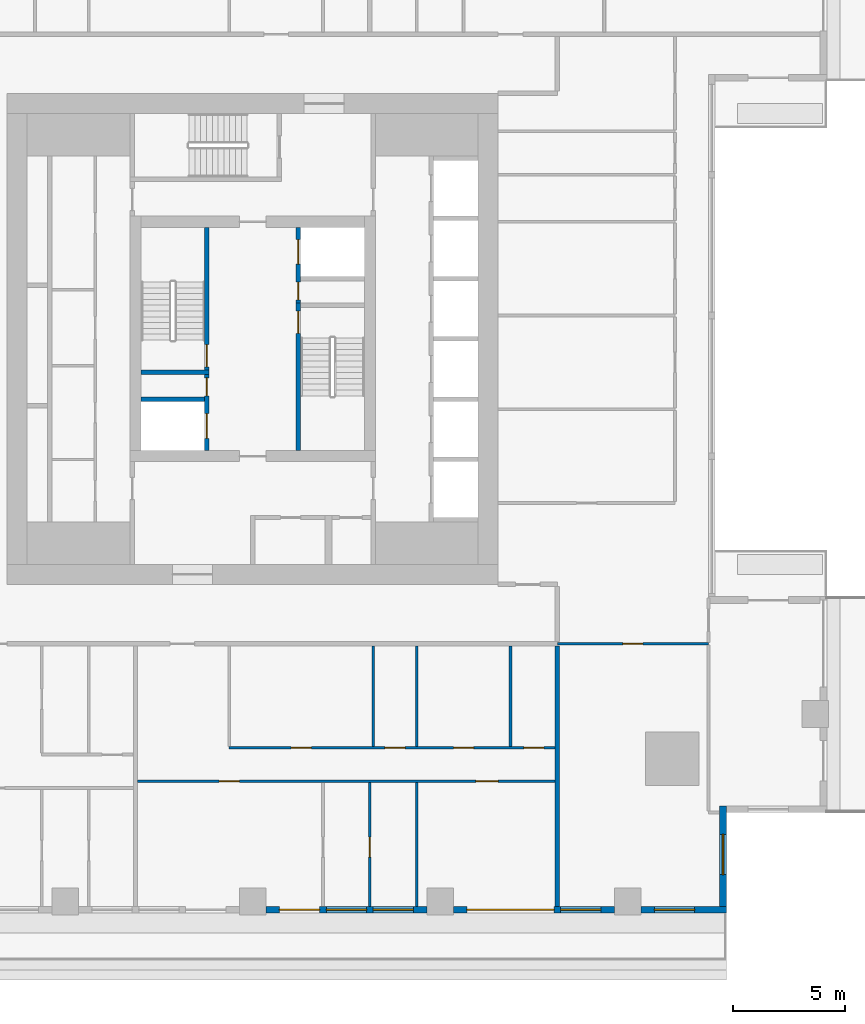
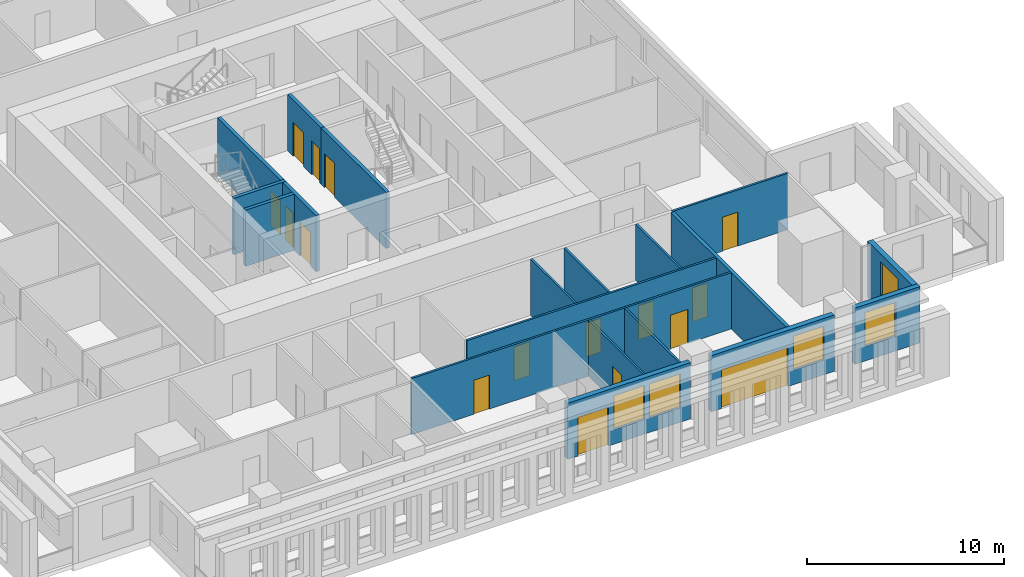
# One storey, part 4 of 15: 19 walls, 16 doors, 5 windows, 21 openings.
"""IFC4 building model written with IfcOpenShell, lengths in metres."""

from ifc_helpers import new_model, si_unit, direction, frame, frame_2d, origin, place, context, subcontext, project, spatial, rectangle, extrude, material, layer, layer_set, type_object, element, fill, save


model = new_model("IFC4")

# Units and contexts
model_context = context("Model", 3, precision=1e-05, world=origin(), true_north=direction((0.0, 1.0)))
body_context = subcontext(model_context, "Body", "Model", "MODEL_VIEW")
ifc_project = project(units=[si_unit("LENGTHUNIT", "METRE"), si_unit("AREAUNIT", "SQUARE_METRE"), si_unit("VOLUMEUNIT", "CUBIC_METRE"), si_unit("PLANEANGLEUNIT", "RADIAN"), si_unit("MASSUNIT", "GRAM", prefix="KILO")], contexts=[model_context])

# Site, building, storey
site_placement = place(None, origin())
site = spatial("IfcSite", under=ifc_project, at=site_placement, CompositionType="ELEMENT")
building_placement = place(site_placement, origin())
building = spatial("IfcBuilding", under=site, at=building_placement, Name="Khepri Terraces", CompositionType="ELEMENT")
storey_placement = place(building_placement, frame((0.0, 0.0, 219.60009765625)))
storey = spatial("IfcBuildingStorey", under=building, at=storey_placement, Name="L52", CompositionType="ELEMENT", Elevation=219.60009765625)

# Wall, opening, door
ifc_material_1 = material(Name="Concrete C50/60", Category="concrete")
ifc_layer_1 = layer(ifc_material_1, 0.199951171875, Name="Concrete C50/60", Category="concrete")
ifc_layer_set_1 = layer_set([ifc_layer_1], Name="Concrete C50/60")
wall_type_1 = type_object("IfcWallType", Name="Core wall 200 C50/60", PredefinedType="SHEAR", material=ifc_layer_set_1)
wall_1_placement = place(storey_placement, frame((2.050048828125, -5.0, 0.0), z_axis=(0.0, 0.0, 1.0), x_axis=(0.0, 1.0, 0.0)))
wall_1 = element("IfcWall", 1, at=wall_1_placement, inside=storey, type_object=wall_type_1, Name="Core wall ST01 L52", PredefinedType="SHEAR", context=body_context, shape_type="SweptSolid", body=[
    extrude(rectangle(XDim=6.60009765625, YDim=0.199951171875, at=frame_2d((3.300048828125, 0.0))), origin(), (0.0, 0.0, 1.0), 3.47998046875),
])
opening_1_placement = place(wall_1_placement, frame((5.25, 0.0, 0.0)))
opening_1 = element("IfcOpeningElement", 2, at=opening_1_placement, cuts=wall_1, Name="Opening L52-C10", PredefinedType="OPENING", context=body_context, shape_type="SweptSolid", body=[
    extrude(rectangle(XDim=1.0, YDim=2.10009765625, at=frame_2d((0.5, 1.050048828125))), frame((0.0, 0.10986328125, 0.0), z_axis=(0.0, -1.0, 0.0), x_axis=(1.0, 0.0, 0.0)), (0.0, 0.0, 1.0), 0.219970703125),
])
ifc_material_2 = material(Name="Painted steel", Category="steel")
door_type_1 = type_object("IfcDoorType", Name="DR-CORE-STAIR-1000", OperationType="NOTDEFINED", PredefinedType="DOOR", material=ifc_material_2)
door_1_placement = place(opening_1_placement, frame((1.0, 0.0, 0.0), z_axis=(0.0, 0.0, 1.0), x_axis=(-1.0, 0.0, 0.0)))
door_1 = element("IfcDoor", 3, at=door_1_placement, inside=storey, type_object=door_type_1, Name="Stair door L52-C10", OperationType="SINGLE_SWING_LEFT", OverallHeight=2.10009765625, OverallWidth=1.0, PredefinedType="DOOR", context=body_context, shape_type="SweptSolid", body=[
    extrude(rectangle(XDim=1.0, YDim=2.10009765625, at=frame_2d((0.5, 1.050048828125))), frame((0.0, 0.02490234375, 0.0), z_axis=(0.0, -1.0, 0.0), x_axis=(1.0, 0.0, 0.0)), (0.0, 0.0, 1.0), 0.050048828125),
])
fill(opening_1, door_1)

# Wall
wall_2_placement = place(storey_placement, frame((-5.0, -1.5, 0.0), z_axis=(0.0, 0.0, 1.0), x_axis=(1.0, 0.0, 0.0)))
element("IfcWall", 4, at=wall_2_placement, inside=storey, type_object=wall_type_1, Name="Core wall ST02 L52", PredefinedType="SHEAR", context=body_context, shape_type="SweptSolid", body=[
    extrude(rectangle(XDim=3.050048828125, YDim=0.199951171875, at=frame_2d((1.52490234375, 0.0))), origin(), (0.0, 0.0, 1.0), 3.47998046875),
])

# Wall, opening, door
wall_3_placement = place(storey_placement, frame((-2.050048828125, -1.39990234375, 0.0), z_axis=(0.0, 0.0, 1.0), x_axis=(0.0, 1.0, 0.0)))
wall_3 = element("IfcWall", 5, at=wall_3_placement, inside=storey, type_object=wall_type_1, Name="Core wall ST03 L52", PredefinedType="SHEAR", context=body_context, shape_type="SweptSolid", body=[
    extrude(rectangle(XDim=6.39990234375, YDim=0.199951171875, at=frame_2d((3.199951171875, 0.0))), origin(), (0.0, 0.0, 1.0), 3.47998046875),
])
opening_2_placement = place(wall_3_placement, frame((0.14990234375, 0.0, 0.0)))
opening_2 = element("IfcOpeningElement", 6, at=opening_2_placement, cuts=wall_3, Name="Opening L52-C09", PredefinedType="OPENING", context=body_context, shape_type="SweptSolid", body=[
    extrude(rectangle(XDim=1.0, YDim=2.10009765625, at=frame_2d((0.5, 1.050048828125))), frame((0.0, 0.10986328125, 0.0), z_axis=(0.0, -1.0, 0.0), x_axis=(1.0, 0.0, 0.0)), (0.0, 0.0, 1.0), 0.219970703125),
])
door_2_placement = place(opening_2_placement, origin())
door_2 = element("IfcDoor", 7, at=door_2_placement, inside=storey, type_object=door_type_1, Name="Stair door L52-C09", OperationType="SINGLE_SWING_LEFT", OverallHeight=2.10009765625, OverallWidth=1.0, PredefinedType="DOOR", context=body_context, shape_type="SweptSolid", body=[
    extrude(rectangle(XDim=1.0, YDim=2.10009765625, at=frame_2d((0.5, 1.050048828125))), frame((0.0, 0.02490234375, 0.0), z_axis=(0.0, -1.0, 0.0), x_axis=(1.0, 0.0, 0.0)), (0.0, 0.0, 1.0), 0.050048828125),
])
fill(opening_2, door_2)

# Wall, openings, doors
wall_4_placement = place(storey_placement, frame((-2.050048828125, -5.0, 0.0), z_axis=(0.0, 0.0, 1.0), x_axis=(0.0, 1.0, 0.0)))
wall_4 = element("IfcWall", 8, at=wall_4_placement, inside=storey, type_object=wall_type_1, Name="Core wall SH05 L52", PredefinedType="SHEAR", context=body_context, shape_type="SweptSolid", body=[
    extrude(rectangle(XDim=3.39990234375, YDim=0.199951171875, at=frame_2d((1.699951171875, 0.0))), origin(), (0.0, 0.0, 1.0), 3.47998046875),
])
opening_3_placement = place(wall_4_placement, frame((0.550048828125, 0.0, 0.0)))
opening_3 = element("IfcOpeningElement", 9, at=opening_3_placement, cuts=wall_4, Name="Opening L52-C08", PredefinedType="OPENING", context=body_context, shape_type="SweptSolid", body=[
    extrude(rectangle(XDim=1.10009765625, YDim=2.10009765625, at=frame_2d((0.550048828125, 1.050048828125))), frame((0.0, 0.10986328125, 0.0), z_axis=(0.0, -1.0, 0.0), x_axis=(1.0, 0.0, 0.0)), (0.0, 0.0, 1.0), 0.219970703125),
])
opening_4_placement = place(wall_4_placement, frame((2.449951171875, 0.0, 0.0)))
opening_4 = element("IfcOpeningElement", 10, at=opening_4_placement, cuts=wall_4, Name="Opening L52-C12", PredefinedType="OPENING", context=body_context, shape_type="SweptSolid", body=[
    extrude(rectangle(XDim=0.800048828125, YDim=2.10009765625, at=frame_2d((0.39990234375, 1.050048828125))), frame((0.0, 0.10986328125, 0.0), z_axis=(0.0, -1.0, 0.0), x_axis=(1.0, 0.0, 0.0)), (0.0, 0.0, 1.0), 0.219970703125),
])
ifc_material_3 = material(Name="Stainless steel 304", Category="steel")
door_type_2 = type_object("IfcDoorType", Name="DR-CORE-FF-LANDING-1100", OperationType="NOTDEFINED", PredefinedType="DOOR", material=ifc_material_3)
door_3_placement = place(opening_3_placement, origin())
door_3 = element("IfcDoor", 11, at=door_3_placement, inside=storey, type_object=door_type_2, Name="Firefighting lift landing door L52-C08", OperationType="SLIDING_TO_LEFT", OverallHeight=2.10009765625, OverallWidth=1.10009765625, PredefinedType="DOOR", context=body_context, shape_type="SweptSolid", body=[
    extrude(rectangle(XDim=1.10009765625, YDim=2.10009765625, at=frame_2d((0.550048828125, 1.050048828125))), frame((0.0, 0.02490234375, 0.0), z_axis=(0.0, -1.0, 0.0), x_axis=(1.0, 0.0, 0.0)), (0.0, 0.0, 1.0), 0.050048828125),
])
fill(opening_3, door_3)
door_type_3 = type_object("IfcDoorType", Name="DR-CORE-RISER-800", OperationType="NOTDEFINED", PredefinedType="DOOR", material=ifc_material_2)
door_4_placement = place(opening_4_placement, origin())
door_4 = element("IfcDoor", 12, at=door_4_placement, inside=storey, type_object=door_type_3, Name="Riser door L52-C12", OperationType="SINGLE_SWING_RIGHT", OverallHeight=2.10009765625, OverallWidth=0.800048828125, PredefinedType="DOOR", context=body_context, shape_type="SweptSolid", body=[
    extrude(rectangle(XDim=0.800048828125, YDim=2.10009765625, at=frame_2d((0.39990234375, 1.050048828125))), frame((0.0, 0.02490234375, 0.0), z_axis=(0.0, -1.0, 0.0), x_axis=(1.0, 0.0, 0.0)), (0.0, 0.0, 1.0), 0.050048828125),
])
fill(opening_4, door_4)

# Wall
wall_5_placement = place(storey_placement, frame((-5.0, -2.699951171875, 0.0), z_axis=(0.0, 0.0, 1.0), x_axis=(1.0, 0.0, 0.0)))
element("IfcWall", 13, at=wall_5_placement, inside=storey, type_object=wall_type_1, Name="Core wall SH07 L52", PredefinedType="SHEAR", context=body_context, shape_type="SweptSolid", body=[
    extrude(rectangle(XDim=2.85009765625, YDim=0.199951171875, at=frame_2d((1.425048828125, 0.0))), origin(), (0.0, 0.0, 1.0), 3.47998046875),
])

# Wall, openings, doors
wall_6_placement = place(storey_placement, frame((2.050048828125, 1.60009765625, 0.0), z_axis=(0.0, 0.0, 1.0), x_axis=(0.0, 1.0, 0.0)))
wall_6 = element("IfcWall", 14, at=wall_6_placement, inside=storey, type_object=wall_type_1, Name="Core wall SH10 L52", PredefinedType="SHEAR", context=body_context, shape_type="SweptSolid", body=[
    extrude(rectangle(XDim=3.39990234375, YDim=0.199951171875, at=frame_2d((1.699951171875, 0.0))), origin(), (0.0, 0.0, 1.0), 3.47998046875),
])
opening_5_placement = place(wall_6_placement, frame((1.75, 0.0, 0.0)))
opening_5 = element("IfcOpeningElement", 15, at=opening_5_placement, cuts=wall_6, Name="Opening L52-C07", PredefinedType="OPENING", context=body_context, shape_type="SweptSolid", body=[
    extrude(rectangle(XDim=1.10009765625, YDim=2.10009765625, at=frame_2d((0.550048828125, 1.050048828125))), frame((0.0, 0.10986328125, 0.0), z_axis=(0.0, -1.0, 0.0), x_axis=(1.0, 0.0, 0.0)), (0.0, 0.0, 1.0), 0.219970703125),
])
opening_6_placement = place(wall_6_placement, frame((0.14990234375, 0.0, 0.0)))
opening_6 = element("IfcOpeningElement", 16, at=opening_6_placement, cuts=wall_6, Name="Opening L52-C11", PredefinedType="OPENING", context=body_context, shape_type="SweptSolid", body=[
    extrude(rectangle(XDim=0.800048828125, YDim=2.10009765625, at=frame_2d((0.39990234375, 1.050048828125))), frame((0.0, 0.10986328125, 0.0), z_axis=(0.0, -1.0, 0.0), x_axis=(1.0, 0.0, 0.0)), (0.0, 0.0, 1.0), 0.219970703125),
])
door_5_placement = place(opening_5_placement, origin())
door_5 = element("IfcDoor", 17, at=door_5_placement, inside=storey, type_object=door_type_2, Name="Firefighting lift landing door L52-C07", OperationType="SLIDING_TO_LEFT", OverallHeight=2.10009765625, OverallWidth=1.10009765625, PredefinedType="DOOR", context=body_context, shape_type="SweptSolid", body=[
    extrude(rectangle(XDim=1.10009765625, YDim=2.10009765625, at=frame_2d((0.550048828125, 1.050048828125))), frame((0.0, 0.02490234375, 0.0), z_axis=(0.0, -1.0, 0.0), x_axis=(1.0, 0.0, 0.0)), (0.0, 0.0, 1.0), 0.050048828125),
])
fill(opening_5, door_5)
door_6_placement = place(opening_6_placement, frame((0.800048828125, 0.0, 0.0), z_axis=(0.0, 0.0, 1.0), x_axis=(-1.0, 0.0, 0.0)))
door_6 = element("IfcDoor", 18, at=door_6_placement, inside=storey, type_object=door_type_3, Name="Riser door L52-C11", OperationType="SINGLE_SWING_RIGHT", OverallHeight=2.10009765625, OverallWidth=0.800048828125, PredefinedType="DOOR", context=body_context, shape_type="SweptSolid", body=[
    extrude(rectangle(XDim=0.800048828125, YDim=2.10009765625, at=frame_2d((0.39990234375, 1.050048828125))), frame((0.0, 0.02490234375, 0.0), z_axis=(0.0, -1.0, 0.0), x_axis=(1.0, 0.0, 0.0)), (0.0, 0.0, 1.0), 0.050048828125),
])
fill(opening_6, door_6)

# Wall
ifc_material_4 = material(Name="Fire-rated gypsum plasterboard partition, mineral wool")
ifc_layer_2 = layer(ifc_material_4, 0.199951171875, Name="Fire-rated gypsum plasterboard partition, mineral wool")
ifc_layer_set_2 = layer_set([ifc_layer_2], Name="Fire-rated gypsum plasterboard partition, mineral wool")
wall_type_2 = type_object("IfcWallType", Name="WL-CORR-200", PredefinedType="PARTITIONING", material=ifc_layer_set_2)
wall_7_placement = place(storey_placement, frame((13.64990234375, -25.419921875, 0.0), z_axis=(0.0, 0.0, 1.0), x_axis=(0.0, 1.0, 0.0)))
element("IfcWall", 19, at=wall_7_placement, inside=storey, type_object=wall_type_2, Name="Partition P-008 L52", PredefinedType="PARTITIONING", context=body_context, shape_type="SweptSolid", body=[
    extrude(rectangle(XDim=11.669921875, YDim=0.199951171875, at=frame_2d((5.8349609375, 0.0))), origin(), (0.0, 0.0, 1.0), 3.47998046875),
])

# Wall, openings, door, windows
ifc_material_5 = material(Name="Precast concrete C50/60 warm stone", Category="masonry")
ifc_layer_3 = layer(ifc_material_5, 0.300048828125, Name="Precast concrete C50/60 warm stone", Category="masonry")
ifc_layer_set_3 = layer_set([ifc_layer_3], Name="Precast concrete C50/60 warm stone")
wall_type_3 = type_object("IfcWallType", Name="WL-EXT-PRECAST-300", PredefinedType="STANDARD", material=ifc_layer_set_3)
wall_8_placement = place(storey_placement, frame((0.60009765625, -25.570068359375, 0.0), z_axis=(0.0, 0.0, 1.0), x_axis=(1.0, 0.0, 0.0)))
wall_8 = element("IfcWall", 20, at=wall_8_placement, inside=storey, type_object=wall_type_3, Name="External wall L52 S", PredefinedType="STANDARD", context=body_context, shape_type="SweptSolid", body=[
    extrude(rectangle(XDim=7.199951171875, YDim=0.300048828125, at=frame_2d((3.60009765625, 0.0))), origin(), (0.0, 0.0, 1.0), 3.47998046875),
])
opening_7_placement = place(wall_8_placement, frame((0.60009765625, 0.0, 0.0)))
opening_7 = element("IfcOpeningElement", 21, at=opening_7_placement, cuts=wall_8, Name="Opening ED-L52-20", PredefinedType="OPENING", context=body_context, shape_type="SweptSolid", body=[
    extrude(rectangle(XDim=1.800048828125, YDim=2.39990234375, at=frame_2d((0.89990234375, 1.199951171875))), frame((0.0, 0.16015625, 0.0), z_axis=(0.0, -1.0, 0.0), x_axis=(1.0, 0.0, 0.0)), (0.0, 0.0, 1.0), 0.320068359375),
])
opening_8_placement = place(wall_8_placement, frame((2.699951171875, 0.0, 0.89990234375)))
opening_8 = element("IfcOpeningElement", 22, at=opening_8_placement, cuts=wall_8, Name="Opening W1", PredefinedType="OPENING", context=body_context, shape_type="SweptSolid", body=[
    extrude(rectangle(XDim=1.800048828125, YDim=2.10009765625, at=frame_2d((0.89990234375, 1.050048828125))), frame((0.0, 0.16015625, 0.0), z_axis=(0.0, -1.0, 0.0), x_axis=(1.0, 0.0, 0.0)), (0.0, 0.0, 1.0), 0.320068359375),
])
opening_9_placement = place(wall_8_placement, frame((4.800048828125, 0.0, 0.89990234375)))
opening_9 = element("IfcOpeningElement", 23, at=opening_9_placement, cuts=wall_8, Name="Opening W1", PredefinedType="OPENING", context=body_context, shape_type="SweptSolid", body=[
    extrude(rectangle(XDim=1.800048828125, YDim=2.10009765625, at=frame_2d((0.89990234375, 1.050048828125))), frame((0.0, 0.16015625, 0.0), z_axis=(0.0, -1.0, 0.0), x_axis=(1.0, 0.0, 0.0)), (0.0, 0.0, 1.0), 0.320068359375),
])
ifc_material_6 = material(Name="Anodised aluminium bronze glazed door", Category="aluminium")
door_type_4 = type_object("IfcDoorType", Name="DR-BAL-SLIDE-1800x2400", OperationType="NOTDEFINED", PredefinedType="DOOR", material=ifc_material_6)
door_7_placement = place(opening_7_placement, origin())
door_7 = element("IfcDoor", 24, at=door_7_placement, inside=storey, type_object=door_type_4, Name="Balcony door L52 S", OperationType="SLIDING_TO_LEFT", OverallHeight=2.39990234375, OverallWidth=1.800048828125, PredefinedType="DOOR", context=body_context, shape_type="SweptSolid", body=[
    extrude(rectangle(XDim=1.800048828125, YDim=2.39990234375, at=frame_2d((0.89990234375, 1.199951171875))), frame((0.0, 0.02490234375, 0.0), z_axis=(0.0, -1.0, 0.0), x_axis=(1.0, 0.0, 0.0)), (0.0, 0.0, 1.0), 0.050048828125),
])
fill(opening_7, door_7)
ifc_material_7 = material(Name="Clear glass", Category="glass")
window_type = type_object("IfcWindowType", Name="WIN-RES-1800x2100", PartitioningType="SINGLE_PANEL", PredefinedType="WINDOW", material=ifc_material_7)
window_1_placement = place(opening_8_placement, origin())
window_1 = element("IfcWindow", 25, at=window_1_placement, inside=storey, type_object=window_type, Name="Window L52 S", OverallHeight=2.10009765625, OverallWidth=1.800048828125, PartitioningType="SINGLE_PANEL", PredefinedType="WINDOW", context=body_context, shape_type="SweptSolid", body=[
    extrude(rectangle(XDim=1.800048828125, YDim=2.10009765625, at=frame_2d((0.89990234375, 1.050048828125))), frame((0.0, 0.030029296875, 0.0), z_axis=(0.0, -1.0, 0.0), x_axis=(1.0, 0.0, 0.0)), (0.0, 0.0, 1.0), 0.06005859375),
])
fill(opening_8, window_1)
window_2_placement = place(opening_9_placement, origin())
window_2 = element("IfcWindow", 26, at=window_2_placement, inside=storey, type_object=window_type, Name="Window L52 S", OverallHeight=2.10009765625, OverallWidth=1.800048828125, PartitioningType="SINGLE_PANEL", PredefinedType="WINDOW", context=body_context, shape_type="SweptSolid", body=[
    extrude(rectangle(XDim=1.800048828125, YDim=2.10009765625, at=frame_2d((0.89990234375, 1.050048828125))), frame((0.0, 0.030029296875, 0.0), z_axis=(0.0, -1.0, 0.0), x_axis=(1.0, 0.0, 0.0)), (0.0, 0.0, 1.0), 0.06005859375),
])
fill(opening_9, window_2)

# Wall, openings, door, window
wall_9_placement = place(storey_placement, frame((9.0, -25.570068359375, 0.0), z_axis=(0.0, 0.0, 1.0), x_axis=(1.0, 0.0, 0.0)))
wall_9 = element("IfcWall", 27, at=wall_9_placement, inside=storey, type_object=wall_type_3, Name="External wall L52 S", PredefinedType="STANDARD", context=body_context, shape_type="SweptSolid", body=[
    extrude(rectangle(XDim=7.199951171875, YDim=0.300048828125, at=frame_2d((3.60009765625, 0.0))), origin(), (0.0, 0.0, 1.0), 3.47998046875),
])
opening_10_placement = place(wall_9_placement, frame((0.60009765625, 0.0, 0.0)))
opening_10 = element("IfcOpeningElement", 28, at=opening_10_placement, cuts=wall_9, Name="Opening ED-L52-21", PredefinedType="OPENING", context=body_context, shape_type="SweptSolid", body=[
    extrude(rectangle(XDim=3.89990234375, YDim=2.39990234375, at=frame_2d((1.949951171875, 1.199951171875))), frame((0.0, 0.16015625, 0.0), z_axis=(0.0, -1.0, 0.0), x_axis=(1.0, 0.0, 0.0)), (0.0, 0.0, 1.0), 0.320068359375),
])
opening_11_placement = place(wall_9_placement, frame((4.800048828125, 0.0, 0.89990234375)))
opening_11 = element("IfcOpeningElement", 29, at=opening_11_placement, cuts=wall_9, Name="Opening W1", PredefinedType="OPENING", context=body_context, shape_type="SweptSolid", body=[
    extrude(rectangle(XDim=1.800048828125, YDim=2.10009765625, at=frame_2d((0.89990234375, 1.050048828125))), frame((0.0, 0.16015625, 0.0), z_axis=(0.0, -1.0, 0.0), x_axis=(1.0, 0.0, 0.0)), (0.0, 0.0, 1.0), 0.320068359375),
])
door_type_5 = type_object("IfcDoorType", Name="DR-BAL-SLIDE-3900x2400", OperationType="NOTDEFINED", PredefinedType="DOOR", material=ifc_material_6)
door_8_placement = place(opening_10_placement, origin())
door_8 = element("IfcDoor", 30, at=door_8_placement, inside=storey, type_object=door_type_5, Name="Balcony door L52 S", OperationType="SLIDING_TO_LEFT", OverallHeight=2.39990234375, OverallWidth=3.89990234375, PredefinedType="DOOR", context=body_context, shape_type="SweptSolid", body=[
    extrude(rectangle(XDim=3.89990234375, YDim=2.39990234375, at=frame_2d((1.949951171875, 1.199951171875))), frame((0.0, 0.02490234375, 0.0), z_axis=(0.0, -1.0, 0.0), x_axis=(1.0, 0.0, 0.0)), (0.0, 0.0, 1.0), 0.050048828125),
])
fill(opening_10, door_8)
window_3_placement = place(opening_11_placement, origin())
window_3 = element("IfcWindow", 31, at=window_3_placement, inside=storey, type_object=window_type, Name="Window L52 S", OverallHeight=2.10009765625, OverallWidth=1.800048828125, PartitioningType="SINGLE_PANEL", PredefinedType="WINDOW", context=body_context, shape_type="SweptSolid", body=[
    extrude(rectangle(XDim=1.800048828125, YDim=2.10009765625, at=frame_2d((0.89990234375, 1.050048828125))), frame((0.0, 0.030029296875, 0.0), z_axis=(0.0, -1.0, 0.0), x_axis=(1.0, 0.0, 0.0)), (0.0, 0.0, 1.0), 0.06005859375),
])
fill(opening_11, window_3)

# Wall, opening, window
wall_10_placement = place(storey_placement, frame((17.39990234375, -25.570068359375, 0.0), z_axis=(0.0, 0.0, 1.0), x_axis=(1.0, 0.0, 0.0)))
wall_10 = element("IfcWall", 32, at=wall_10_placement, inside=storey, type_object=wall_type_3, Name="External wall L52 S", PredefinedType="STANDARD", context=body_context, shape_type="SweptSolid", body=[
    extrude(rectangle(XDim=3.820068359375, YDim=0.300048828125, at=frame_2d((1.91015625, 0.0))), origin(), (0.0, 0.0, 1.0), 3.47998046875),
])
opening_12_placement = place(wall_10_placement, frame((0.60009765625, 0.0, 0.89990234375)))
opening_12 = element("IfcOpeningElement", 33, at=opening_12_placement, cuts=wall_10, Name="Opening W1", PredefinedType="OPENING", context=body_context, shape_type="SweptSolid", body=[
    extrude(rectangle(XDim=1.800048828125, YDim=2.10009765625, at=frame_2d((0.89990234375, 1.050048828125))), frame((0.0, 0.16015625, 0.0), z_axis=(0.0, -1.0, 0.0), x_axis=(1.0, 0.0, 0.0)), (0.0, 0.0, 1.0), 0.320068359375),
])
window_4_placement = place(opening_12_placement, origin())
window_4 = element("IfcWindow", 34, at=window_4_placement, inside=storey, type_object=window_type, Name="Window L52 S", OverallHeight=2.10009765625, OverallWidth=1.800048828125, PartitioningType="SINGLE_PANEL", PredefinedType="WINDOW", context=body_context, shape_type="SweptSolid", body=[
    extrude(rectangle(XDim=1.800048828125, YDim=2.10009765625, at=frame_2d((0.89990234375, 1.050048828125))), frame((0.0, 0.030029296875, 0.0), z_axis=(0.0, -1.0, 0.0), x_axis=(1.0, 0.0, 0.0)), (0.0, 0.0, 1.0), 0.06005859375),
])
fill(opening_12, window_4)

wall_11_placement = place(storey_placement, frame((21.070068359375, -25.419921875, 0.0), z_axis=(0.0, 0.0, 1.0), x_axis=(0.0, 1.0, 0.0)))
wall_11 = element("IfcWall", 35, at=wall_11_placement, inside=storey, type_object=wall_type_3, Name="External wall L52 E", PredefinedType="STANDARD", context=body_context, shape_type="SweptSolid", body=[
    extrude(rectangle(XDim=4.5, YDim=0.300048828125, at=frame_2d((2.25, 0.0))), origin(), (0.0, 0.0, 1.0), 3.47998046875),
])
opening_13_placement = place(wall_11_placement, frame((1.419921875, 0.0, 0.89990234375)))
opening_13 = element("IfcOpeningElement", 36, at=opening_13_placement, cuts=wall_11, Name="Opening W1", PredefinedType="OPENING", context=body_context, shape_type="SweptSolid", body=[
    extrude(rectangle(XDim=1.800048828125, YDim=2.10009765625, at=frame_2d((0.89990234375, 1.050048828125))), frame((0.0, 0.16015625, 0.0), z_axis=(0.0, -1.0, 0.0), x_axis=(1.0, 0.0, 0.0)), (0.0, 0.0, 1.0), 0.320068359375),
])
window_5_placement = place(opening_13_placement, origin())
window_5 = element("IfcWindow", 37, at=window_5_placement, inside=storey, type_object=window_type, Name="Window L52 E", OverallHeight=2.10009765625, OverallWidth=1.800048828125, PartitioningType="SINGLE_PANEL", PredefinedType="WINDOW", context=body_context, shape_type="SweptSolid", body=[
    extrude(rectangle(XDim=1.800048828125, YDim=2.10009765625, at=frame_2d((0.89990234375, 1.050048828125))), frame((0.0, 0.030029296875, 0.0), z_axis=(0.0, -1.0, 0.0), x_axis=(1.0, 0.0, 0.0)), (0.0, 0.0, 1.0), 0.06005859375),
])
fill(opening_13, window_5)

# Wall, opening, door
ifc_material_8 = material(Name="Gypsum plasterboard partition")
ifc_layer_4 = layer(ifc_material_8, 0.1201171875, Name="Gypsum plasterboard partition")
ifc_layer_set_4 = layer_set([ifc_layer_4], Name="Gypsum plasterboard partition")
wall_type_4 = type_object("IfcWallType", Name="WL-PART-120", PredefinedType="PARTITIONING", material=ifc_layer_set_4)
wall_12_placement = place(storey_placement, frame((5.25, -25.419921875, 0.0), z_axis=(0.0, 0.0, 1.0), x_axis=(0.0, 1.0, 0.0)))
wall_12 = element("IfcWall", 38, at=wall_12_placement, inside=storey, type_object=wall_type_4, Name="Partition P-006 L52", PredefinedType="PARTITIONING", context=body_context, shape_type="SweptSolid", body=[
    extrude(rectangle(XDim=5.5400390625, YDim=0.1201171875, at=frame_2d((2.77001953125, 0.0))), origin(), (0.0, 0.0, 1.0), 3.47998046875),
])
opening_14_placement = place(wall_12_placement, frame((2.199951171875, 0.0, 0.0)))
opening_14 = element("IfcOpeningElement", 39, at=opening_14_placement, cuts=wall_12, Name="Opening D4", PredefinedType="OPENING", context=body_context, shape_type="SweptSolid", body=[
    extrude(rectangle(XDim=0.89990234375, YDim=2.10009765625, at=frame_2d((0.449951171875, 1.050048828125))), frame((0.0, 0.070068359375, 0.0), z_axis=(0.0, -1.0, 0.0), x_axis=(1.0, 0.0, 0.0)), (0.0, 0.0, 1.0), 0.14013671875),
])
ifc_material_9 = material(Name="Timber door leaf, moisture resistant", Category="wood")
door_type_6 = type_object("IfcDoorType", Name="DR-WET-900", OperationType="NOTDEFINED", PredefinedType="DOOR", material=ifc_material_9)
door_9_placement = place(opening_14_placement, frame((0.89990234375, 0.0, 0.0), z_axis=(0.0, 0.0, 1.0), x_axis=(-1.0, 0.0, 0.0)))
door_9 = element("IfcDoor", 40, at=door_9_placement, inside=storey, type_object=door_type_6, Name="Door Bathroom", OperationType="SINGLE_SWING_RIGHT", OverallHeight=2.10009765625, OverallWidth=0.89990234375, PredefinedType="DOOR", context=body_context, shape_type="SweptSolid", body=[
    extrude(rectangle(XDim=0.89990234375, YDim=2.10009765625, at=frame_2d((0.449951171875, 1.050048828125))), frame((0.0, 0.02490234375, 0.0), z_axis=(0.0, -1.0, 0.0), x_axis=(1.0, 0.0, 0.0)), (0.0, 0.0, 1.0), 0.050048828125),
])
fill(opening_14, door_9)

# Wall
wall_13_placement = place(storey_placement, frame((7.35009765625, -25.419921875, 0.0), z_axis=(0.0, 0.0, 1.0), x_axis=(0.0, 1.0, 0.0)))
element("IfcWall", 41, at=wall_13_placement, inside=storey, type_object=wall_type_4, Name="Partition P-007 L52", PredefinedType="PARTITIONING", context=body_context, shape_type="SweptSolid", body=[
    extrude(rectangle(XDim=5.5400390625, YDim=0.1201171875, at=frame_2d((2.77001953125, 0.0))), origin(), (0.0, 0.0, 1.0), 3.47998046875),
])

# Wall, openings, doors
wall_14_placement = place(storey_placement, frame((-5.14990234375, -19.820068359375, 0.0), z_axis=(0.0, 0.0, 1.0), x_axis=(1.0, 0.0, 0.0)))
wall_14 = element("IfcWall", 42, at=wall_14_placement, inside=storey, type_object=wall_type_4, Name="Partition P-013 L52", PredefinedType="PARTITIONING", context=body_context, shape_type="SweptSolid", body=[
    extrude(rectangle(XDim=18.699951171875, YDim=0.1201171875, at=frame_2d((9.35009765625, 0.0))), origin(), (0.0, 0.0, 1.0), 3.47998046875),
])
opening_15_placement = place(wall_14_placement, frame((3.64990234375, 0.0, 0.0)))
opening_15 = element("IfcOpeningElement", 43, at=opening_15_placement, cuts=wall_14, Name="Opening D3", PredefinedType="OPENING", context=body_context, shape_type="SweptSolid", body=[
    extrude(rectangle(XDim=0.89990234375, YDim=2.10009765625, at=frame_2d((0.449951171875, 1.050048828125))), frame((0.0, 0.070068359375, 0.0), z_axis=(0.0, -1.0, 0.0), x_axis=(1.0, 0.0, 0.0)), (0.0, 0.0, 1.0), 0.14013671875),
])
opening_16_placement = place(wall_14_placement, frame((15.14990234375, 0.0, 0.0)))
opening_16 = element("IfcOpeningElement", 44, at=opening_16_placement, cuts=wall_14, Name="Opening D2", PredefinedType="OPENING", context=body_context, shape_type="SweptSolid", body=[
    extrude(rectangle(XDim=1.0, YDim=2.10009765625, at=frame_2d((0.5, 1.050048828125))), frame((0.0, 0.070068359375, 0.0), z_axis=(0.0, -1.0, 0.0), x_axis=(1.0, 0.0, 0.0)), (0.0, 0.0, 1.0), 0.14013671875),
])
ifc_material_10 = material(Name="Timber door leaf, living room door", Category="wood")
door_type_7 = type_object("IfcDoorType", Name="DR-INT-1000", OperationType="NOTDEFINED", PredefinedType="DOOR", material=ifc_material_10)
door_10_placement = place(opening_16_placement, frame((1.0, 0.0, 0.0), z_axis=(0.0, 0.0, 1.0), x_axis=(-1.0, 0.0, 0.0)))
door_10 = element("IfcDoor", 45, at=door_10_placement, inside=storey, type_object=door_type_7, Name="Door Living Room", OperationType="SINGLE_SWING_LEFT", OverallHeight=2.10009765625, OverallWidth=1.0, PredefinedType="DOOR", context=body_context, shape_type="SweptSolid", body=[
    extrude(rectangle(XDim=1.0, YDim=2.10009765625, at=frame_2d((0.5, 1.050048828125))), frame((0.0, 0.02490234375, 0.0), z_axis=(0.0, -1.0, 0.0), x_axis=(1.0, 0.0, 0.0)), (0.0, 0.0, 1.0), 0.050048828125),
])
fill(opening_16, door_10)
ifc_material_11 = material(Name="Timber door leaf", Category="wood")
door_type_8 = type_object("IfcDoorType", Name="DR-INT-900", OperationType="NOTDEFINED", PredefinedType="DOOR", material=ifc_material_11)
door_11_placement = place(opening_15_placement, frame((0.89990234375, 0.0, 0.0), z_axis=(0.0, 0.0, 1.0), x_axis=(-1.0, 0.0, 0.0)))
door_11 = element("IfcDoor", 46, at=door_11_placement, inside=storey, type_object=door_type_8, Name="Door Master Bedroom", OperationType="SINGLE_SWING_RIGHT", OverallHeight=2.10009765625, OverallWidth=0.89990234375, PredefinedType="DOOR", context=body_context, shape_type="SweptSolid", body=[
    extrude(rectangle(XDim=0.89990234375, YDim=2.10009765625, at=frame_2d((0.449951171875, 1.050048828125))), frame((0.0, 0.02490234375, 0.0), z_axis=(0.0, -1.0, 0.0), x_axis=(1.0, 0.0, 0.0)), (0.0, 0.0, 1.0), 0.050048828125),
])
fill(opening_15, door_11)

wall_15_placement = place(storey_placement, frame((-1.050048828125, -18.320068359375, 0.0), z_axis=(0.0, 0.0, 1.0), x_axis=(1.0, 0.0, 0.0)))
wall_15 = element("IfcWall", 47, at=wall_15_placement, inside=storey, type_object=wall_type_4, Name="Partition P-017 L52", PredefinedType="PARTITIONING", context=body_context, shape_type="SweptSolid", body=[
    extrude(rectangle(XDim=14.60009765625, YDim=0.1201171875, at=frame_2d((7.300048828125, 0.0))), origin(), (0.0, 0.0, 1.0), 3.47998046875),
])
opening_17_placement = place(wall_15_placement, frame((2.77490234375, 0.0, 0.0)))
opening_17 = element("IfcOpeningElement", 48, at=opening_17_placement, cuts=wall_15, Name="Opening D3", PredefinedType="OPENING", context=body_context, shape_type="SweptSolid", body=[
    extrude(rectangle(XDim=0.89990234375, YDim=2.10009765625, at=frame_2d((0.449951171875, 1.050048828125))), frame((0.0, 0.070068359375, 0.0), z_axis=(0.0, -1.0, 0.0), x_axis=(1.0, 0.0, 0.0)), (0.0, 0.0, 1.0), 0.14013671875),
])
opening_18_placement = place(wall_15_placement, frame((6.97509765625, 0.0, 0.0)))
opening_18 = element("IfcOpeningElement", 49, at=opening_18_placement, cuts=wall_15, Name="Opening D4", PredefinedType="OPENING", context=body_context, shape_type="SweptSolid", body=[
    extrude(rectangle(XDim=0.89990234375, YDim=2.10009765625, at=frame_2d((0.449951171875, 1.050048828125))), frame((0.0, 0.070068359375, 0.0), z_axis=(0.0, -1.0, 0.0), x_axis=(1.0, 0.0, 0.0)), (0.0, 0.0, 1.0), 0.14013671875),
])
opening_19_placement = place(wall_15_placement, frame((10.050048828125, 0.0, 0.0)))
opening_19 = element("IfcOpeningElement", 50, at=opening_19_placement, cuts=wall_15, Name="Opening D3", PredefinedType="OPENING", context=body_context, shape_type="SweptSolid", body=[
    extrude(rectangle(XDim=0.89990234375, YDim=2.10009765625, at=frame_2d((0.449951171875, 1.050048828125))), frame((0.0, 0.070068359375, 0.0), z_axis=(0.0, -1.0, 0.0), x_axis=(1.0, 0.0, 0.0)), (0.0, 0.0, 1.0), 0.14013671875),
])
opening_20_placement = place(wall_15_placement, frame((13.199951171875, 0.0, 0.0)))
opening_20 = element("IfcOpeningElement", 51, at=opening_20_placement, cuts=wall_15, Name="Opening D3", PredefinedType="OPENING", context=body_context, shape_type="SweptSolid", body=[
    extrude(rectangle(XDim=0.89990234375, YDim=2.10009765625, at=frame_2d((0.449951171875, 1.050048828125))), frame((0.0, 0.070068359375, 0.0), z_axis=(0.0, -1.0, 0.0), x_axis=(1.0, 0.0, 0.0)), (0.0, 0.0, 1.0), 0.14013671875),
])
door_12_placement = place(opening_17_placement, origin())
door_12 = element("IfcDoor", 52, at=door_12_placement, inside=storey, type_object=door_type_8, Name="Door Kitchen", OperationType="SINGLE_SWING_LEFT", OverallHeight=2.10009765625, OverallWidth=0.89990234375, PredefinedType="DOOR", context=body_context, shape_type="SweptSolid", body=[
    extrude(rectangle(XDim=0.89990234375, YDim=2.10009765625, at=frame_2d((0.449951171875, 1.050048828125))), frame((0.0, 0.02490234375, 0.0), z_axis=(0.0, -1.0, 0.0), x_axis=(1.0, 0.0, 0.0)), (0.0, 0.0, 1.0), 0.050048828125),
])
fill(opening_17, door_12)
door_13_placement = place(opening_19_placement, origin())
door_13 = element("IfcDoor", 53, at=door_13_placement, inside=storey, type_object=door_type_8, Name="Door Utility Room", OperationType="SINGLE_SWING_RIGHT", OverallHeight=2.10009765625, OverallWidth=0.89990234375, PredefinedType="DOOR", context=body_context, shape_type="SweptSolid", body=[
    extrude(rectangle(XDim=0.89990234375, YDim=2.10009765625, at=frame_2d((0.449951171875, 1.050048828125))), frame((0.0, 0.02490234375, 0.0), z_axis=(0.0, -1.0, 0.0), x_axis=(1.0, 0.0, 0.0)), (0.0, 0.0, 1.0), 0.050048828125),
])
fill(opening_19, door_13)
door_14_placement = place(opening_20_placement, origin())
door_14 = element("IfcDoor", 54, at=door_14_placement, inside=storey, type_object=door_type_8, Name="Door Utility Room", OperationType="SINGLE_SWING_RIGHT", OverallHeight=2.10009765625, OverallWidth=0.89990234375, PredefinedType="DOOR", context=body_context, shape_type="SweptSolid", body=[
    extrude(rectangle(XDim=0.89990234375, YDim=2.10009765625, at=frame_2d((0.449951171875, 1.050048828125))), frame((0.0, 0.02490234375, 0.0), z_axis=(0.0, -1.0, 0.0), x_axis=(1.0, 0.0, 0.0)), (0.0, 0.0, 1.0), 0.050048828125),
])
fill(opening_20, door_14)
door_15_placement = place(opening_18_placement, origin())
door_15 = element("IfcDoor", 55, at=door_15_placement, inside=storey, type_object=door_type_6, Name="Door Guest Bathroom", OperationType="SINGLE_SWING_RIGHT", OverallHeight=2.10009765625, OverallWidth=0.89990234375, PredefinedType="DOOR", context=body_context, shape_type="SweptSolid", body=[
    extrude(rectangle(XDim=0.89990234375, YDim=2.10009765625, at=frame_2d((0.449951171875, 1.050048828125))), frame((0.0, 0.02490234375, 0.0), z_axis=(0.0, -1.0, 0.0), x_axis=(1.0, 0.0, 0.0)), (0.0, 0.0, 1.0), 0.050048828125),
])
fill(opening_18, door_15)

# Walls
for number, where, z_axis, x_axis, name in (
    (56, (5.39990234375, -18.260009765625, 0.0), (0.0, 0.0, 1.0), (0.0, 1.0, 0.0), "Partition P-019 L52"),
    (57, (7.35009765625, -18.260009765625, 0.0), (0.0, 0.0, 1.0), (0.0, 1.0, 0.0), "Partition P-020 L52"),
    (58, (11.550048828125, -18.260009765625, 0.0), (0.0, 0.0, 1.0), (0.0, 1.0, 0.0), "Partition P-021 L52"),
):
    element("IfcWall", number, at=place(storey_placement, frame(where, z_axis=z_axis, x_axis=x_axis)), inside=storey, type_object=wall_type_4, Name=name, PredefinedType="PARTITIONING", context=body_context, shape_type="SweptSolid", body=[
        extrude(rectangle(XDim=4.510009765625, YDim=0.1201171875, at=frame_2d((2.2548828125, 0.0))), origin(), (0.0, 0.0, 1.0), 3.47998046875),
    ])

# Wall, opening, door
wall_16_placement = place(storey_placement, frame((13.64990234375, -13.64990234375, 0.0), z_axis=(0.0, 0.0, 1.0), x_axis=(1.0, 0.0, 0.0)))
wall_16 = element("IfcWall", 59, at=wall_16_placement, inside=storey, type_object=wall_type_4, Name="Partition P-023 L52", PredefinedType="PARTITIONING", context=body_context, shape_type="SweptSolid", body=[
    extrude(rectangle(XDim=6.77001953125, YDim=0.1201171875, at=frame_2d((3.385009765625, 0.0))), origin(), (0.0, 0.0, 1.0), 3.47998046875),
])
opening_21_placement = place(wall_16_placement, frame((2.93505859375, 0.0, 0.0)))
opening_21 = element("IfcOpeningElement", 60, at=opening_21_placement, cuts=wall_16, Name="Opening D3", PredefinedType="OPENING", context=body_context, shape_type="SweptSolid", body=[
    extrude(rectangle(XDim=0.89990234375, YDim=2.10009765625, at=frame_2d((0.449951171875, 1.050048828125))), frame((0.0, 0.070068359375, 0.0), z_axis=(0.0, -1.0, 0.0), x_axis=(1.0, 0.0, 0.0)), (0.0, 0.0, 1.0), 0.14013671875),
])
door_16_placement = place(opening_21_placement, frame((0.89990234375, 0.0, 0.0), z_axis=(0.0, 0.0, 1.0), x_axis=(-1.0, 0.0, 0.0)))
door_16 = element("IfcDoor", 61, at=door_16_placement, inside=storey, type_object=door_type_8, Name="Door Home Gym", OperationType="SINGLE_SWING_RIGHT", OverallHeight=2.10009765625, OverallWidth=0.89990234375, PredefinedType="DOOR", context=body_context, shape_type="SweptSolid", body=[
    extrude(rectangle(XDim=0.89990234375, YDim=2.10009765625, at=frame_2d((0.449951171875, 1.050048828125))), frame((0.0, 0.02490234375, 0.0), z_axis=(0.0, -1.0, 0.0), x_axis=(1.0, 0.0, 0.0)), (0.0, 0.0, 1.0), 0.050048828125),
])
fill(opening_21, door_16)

save(model, "model.ifc")
